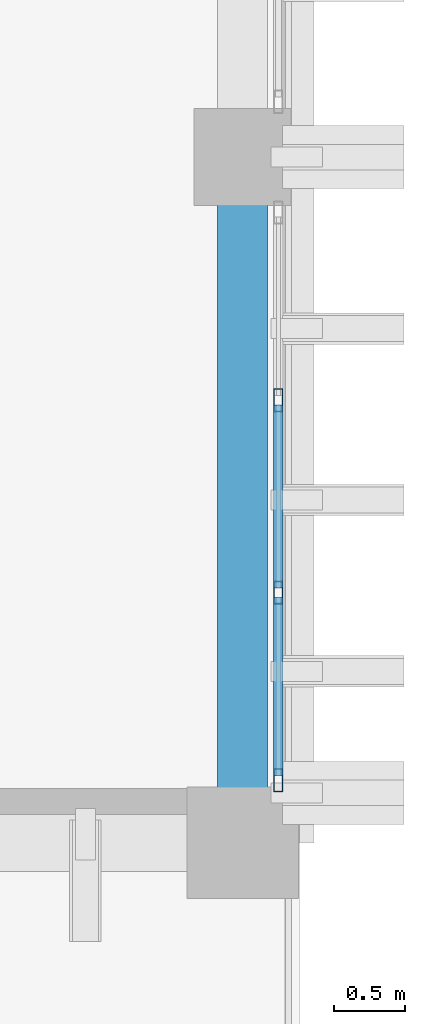
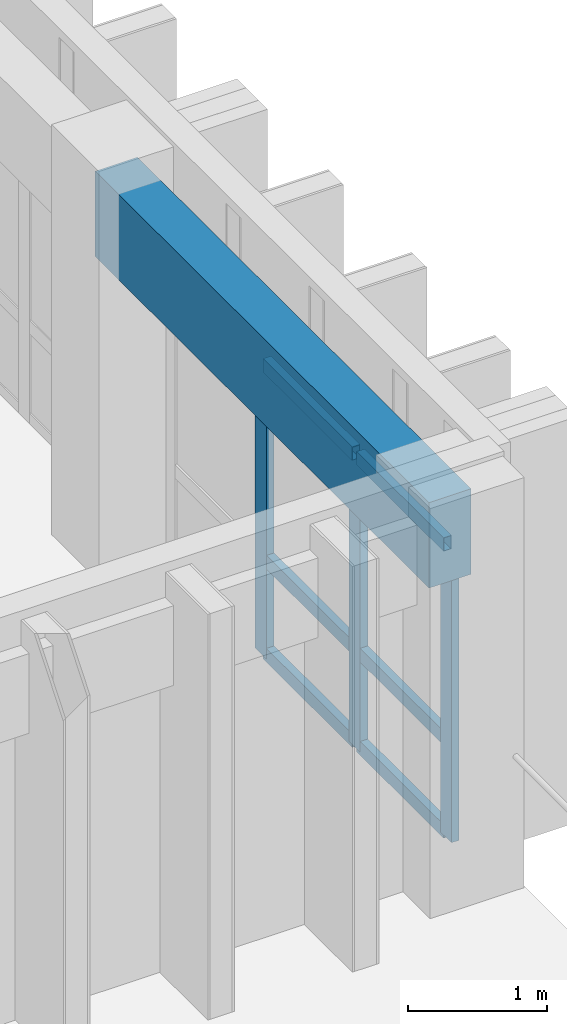
# One storey, part 6 of 68: 9 members, 1 beam, 1 element without a shape of its own.
"""IFC4 building model written with IfcOpenShell, lengths in metres."""

from ifc_helpers import new_model, si_unit, direction, frame, origin, origin_2d, place, context, subcontext, project, spatial, rectangle, hollow_rectangle, extrude, material, layer, layer_set, material_profile, profile_set, type_object, element, aggregate, save


model = new_model("IFC4")

# Units and contexts
model_context = context("Model", 3, precision=1e-05, world=origin(), true_north=direction((0.0, 1.0)))
body_context = subcontext(model_context, "Body", "Model", "MODEL_VIEW")
ifc_project = project(units=[si_unit("LENGTHUNIT", "METRE"), si_unit("AREAUNIT", "SQUARE_METRE"), si_unit("VOLUMEUNIT", "CUBIC_METRE"), si_unit("PLANEANGLEUNIT", "RADIAN"), si_unit("MASSUNIT", "GRAM", prefix="KILO")], contexts=[model_context])

# Site, building, storey
site_placement = place(None, origin())
site = spatial("IfcSite", under=ifc_project, at=site_placement, CompositionType="ELEMENT")
building_placement = place(site_placement, origin())
building = spatial("IfcBuilding", under=site, at=building_placement, Name="Nakhvara Creek Congress Hotel", CompositionType="ELEMENT")
storey_placement = place(building_placement, frame((0.0, 0.0, 24.60009765625)))
storey = spatial("IfcBuildingStorey", under=building, at=storey_placement, Name="L05", CompositionType="ELEMENT", Elevation=24.60009765625)

# Beam
ifc_material_1 = material(Name="Concrete C40/50", Category="concrete")
ifc_material_profile_1 = material_profile(ifc_material_1, rectangle(XDim=0.35009765625, YDim=0.75, at=origin_2d()), Name="RC-SPANDREL 350x750", Category="LoadBearing")
ifc_profile_set_1 = profile_set([ifc_material_profile_1], Name="Concrete C40/50")
beam_type = type_object("IfcBeamType", Name="BM-SPN-350X750", PredefinedType="SPANDREL", material=ifc_profile_set_1)
beam_placement = place(storey_placement, frame((179.35009765625, 28.800048828125, 2.96484375), z_axis=(0.0, 1.0, 0.0), x_axis=(-1.0, 0.0, 0.0)))
element("IfcBeam", 1, at=beam_placement, inside=storey, type_object=beam_type, Name="Beam SP1-L05-2147", PredefinedType="SPANDREL", context=body_context, shape_type="SweptSolid", body=[
    extrude(rectangle(XDim=0.35009765625, YDim=0.75, at=origin_2d()), origin(), (0.0, 0.0, 1.0), 4.800048828125),
])

# Curtain wall, members
ifc_material_2 = material(Name="Bronze-anodised aluminium AW-6063-T6 and double-silver low-E glass", Category="aluminium")
ifc_layer = layer(ifc_material_2, 0.199951171875)
ifc_layer_set = layer_set([ifc_layer], Name="Bronze-anodised aluminium AW-6063-T6 and double-silver low-E glass")
curtain_wall_type = type_object("IfcCurtainWallType", Name="CW-HTL-UNIT", PredefinedType="USERDEFINED", material=ifc_layer_set)
curtain_wall_placement = place(storey_placement, origin())
curtain_wall = element("IfcCurtainWall", 2, at=curtain_wall_placement, inside=storey, type_object=curtain_wall_type, Name="Curtain Wall CW202", ObjectType="UNITISED", PredefinedType="USERDEFINED")
ifc_material_3 = material(Name="Bronze-anodised aluminium AW-6063-T6", Category="aluminium")
ifc_material_profile_2 = material_profile(ifc_material_3, hollow_rectangle(XDim=0.06494140625, YDim=0.159912109375, WallThickness=0.00390625, at=origin_2d()), Name="ALU-MULL 65x160x4", Category="LoadBearing")
ifc_profile_set_2 = profile_set([ifc_material_profile_2], Name="Bronze-anodised aluminium AW-6063-T6")
member_type_1 = type_object("IfcMemberType", Name="CW-MULL-160", PredefinedType="MULLION", material=ifc_profile_set_2)
member_1_placement = place(storey_placement, frame((179.60009765625, 31.8984375, 0.0), z_axis=(0.0, 0.0, 1.0), x_axis=(1.0, 0.0, 0.0)))
member_1 = element("IfcMember", 3, at=member_1_placement, type_object=member_type_1, Name="CW202 mullion 2", PredefinedType="MULLION", context=body_context, shape_type="SweptSolid", body=[
    extrude(hollow_rectangle(XDim=0.06494140625, YDim=0.159912109375, WallThickness=0.00390625, at=origin_2d()), origin(), (0.0, 0.0, 1.0), 2.581787109375),
])
member_2_placement = place(storey_placement, frame((179.60009765625, 30.5517578125, 0.0), z_axis=(0.0, 0.0, 1.0), x_axis=(1.0, 0.0, 0.0)))
member_2 = element("IfcMember", 4, at=member_2_placement, type_object=member_type_1, Name="CW202 mullion 3", PredefinedType="MULLION", context=body_context, shape_type="SweptSolid", body=[
    extrude(hollow_rectangle(XDim=0.06494140625, YDim=0.159912109375, WallThickness=0.00390625, at=origin_2d()), origin(), (0.0, 0.0, 1.0), 2.581787109375),
])
member_3_placement = place(storey_placement, frame((179.60009765625, 29.237548828125, 0.0), z_axis=(0.0, 0.0, 1.0), x_axis=(1.0, 0.0, 0.0)))
member_3 = element("IfcMember", 5, at=member_3_placement, type_object=member_type_1, Name="CW202 mullion 4", PredefinedType="MULLION", context=body_context, shape_type="SweptSolid", body=[
    extrude(hollow_rectangle(XDim=0.06494140625, YDim=0.159912109375, WallThickness=0.00390625, at=origin_2d()), origin(), (0.0, 0.0, 1.0), 2.581787109375),
])
ifc_material_profile_3 = material_profile(ifc_material_3, hollow_rectangle(XDim=0.06494140625, YDim=0.1201171875, WallThickness=0.00390625, at=origin_2d()), Name="ALU-TRAN 65x120x4", Category="LoadBearing")
ifc_profile_set_3 = profile_set([ifc_material_profile_3], Name="Bronze-anodised aluminium AW-6063-T6")
member_type_2 = type_object("IfcMemberType", Name="CW-TRAN-120", PredefinedType="USERDEFINED", material=ifc_profile_set_3)
member_4_placement = place(storey_placement, frame((179.60009765625, 31.86572265625, 0.032470703125), z_axis=(0.0, -1.0, 0.0), x_axis=(1.0, 0.0, 0.0)))
member_4 = element("IfcMember", 6, at=member_4_placement, type_object=member_type_2, Name="CW202 transom 2.1", ObjectType="TRANSOM", PredefinedType="USERDEFINED", context=body_context, shape_type="SweptSolid", body=[
    extrude(hollow_rectangle(XDim=0.06494140625, YDim=0.1201171875, WallThickness=0.00390625, at=origin_2d()), origin(), (0.0, 0.0, 1.0), 1.281494140625),
])
member_5_placement = place(storey_placement, frame((179.60009765625, 31.86572265625, 0.849853515625), z_axis=(0.0, -1.0, 0.0), x_axis=(1.0, 0.0, 0.0)))
member_5 = element("IfcMember", 7, at=member_5_placement, type_object=member_type_2, Name="CW202 transom 2.2", ObjectType="TRANSOM", PredefinedType="USERDEFINED", context=body_context, shape_type="SweptSolid", body=[
    extrude(hollow_rectangle(XDim=0.06494140625, YDim=0.1201171875, WallThickness=0.00390625, at=origin_2d()), origin(), (0.0, 0.0, 1.0), 1.281494140625),
])
member_6_placement = place(storey_placement, frame((179.60009765625, 31.86572265625, 2.54931640625), z_axis=(0.0, -1.0, 0.0), x_axis=(1.0, 0.0, 0.0)))
member_6 = element("IfcMember", 8, at=member_6_placement, type_object=member_type_2, Name="CW202 transom 2.3", ObjectType="TRANSOM", PredefinedType="USERDEFINED", context=body_context, shape_type="SweptSolid", body=[
    extrude(hollow_rectangle(XDim=0.06494140625, YDim=0.1201171875, WallThickness=0.00390625, at=origin_2d()), origin(), (0.0, 0.0, 1.0), 1.281494140625),
])
member_7_placement = place(storey_placement, frame((179.60009765625, 30.519287109375, 0.032470703125), z_axis=(0.0, -1.0, 0.0), x_axis=(1.0, 0.0, 0.0)))
member_7 = element("IfcMember", 9, at=member_7_placement, type_object=member_type_2, Name="CW202 transom 3.1", ObjectType="TRANSOM", PredefinedType="USERDEFINED", context=body_context, shape_type="SweptSolid", body=[
    extrude(hollow_rectangle(XDim=0.06494140625, YDim=0.1201171875, WallThickness=0.00390625, at=origin_2d()), origin(), (0.0, 0.0, 1.0), 1.249267578125),
])
member_8_placement = place(storey_placement, frame((179.60009765625, 30.519287109375, 0.849853515625), z_axis=(0.0, -1.0, 0.0), x_axis=(1.0, 0.0, 0.0)))
member_8 = element("IfcMember", 10, at=member_8_placement, type_object=member_type_2, Name="CW202 transom 3.2", ObjectType="TRANSOM", PredefinedType="USERDEFINED", context=body_context, shape_type="SweptSolid", body=[
    extrude(hollow_rectangle(XDim=0.06494140625, YDim=0.1201171875, WallThickness=0.00390625, at=origin_2d()), origin(), (0.0, 0.0, 1.0), 1.249267578125),
])
member_9_placement = place(storey_placement, frame((179.60009765625, 30.519287109375, 2.54931640625), z_axis=(0.0, -1.0, 0.0), x_axis=(1.0, 0.0, 0.0)))
member_9 = element("IfcMember", 11, at=member_9_placement, type_object=member_type_2, Name="CW202 transom 3.3", ObjectType="TRANSOM", PredefinedType="USERDEFINED", context=body_context, shape_type="SweptSolid", body=[
    extrude(hollow_rectangle(XDim=0.06494140625, YDim=0.1201171875, WallThickness=0.00390625, at=origin_2d()), origin(), (0.0, 0.0, 1.0), 1.249267578125),
])
aggregate(curtain_wall, [member_1, member_2, member_3, member_4, member_5, member_6, member_7, member_8, member_9])

save(model, "model.ifc")
